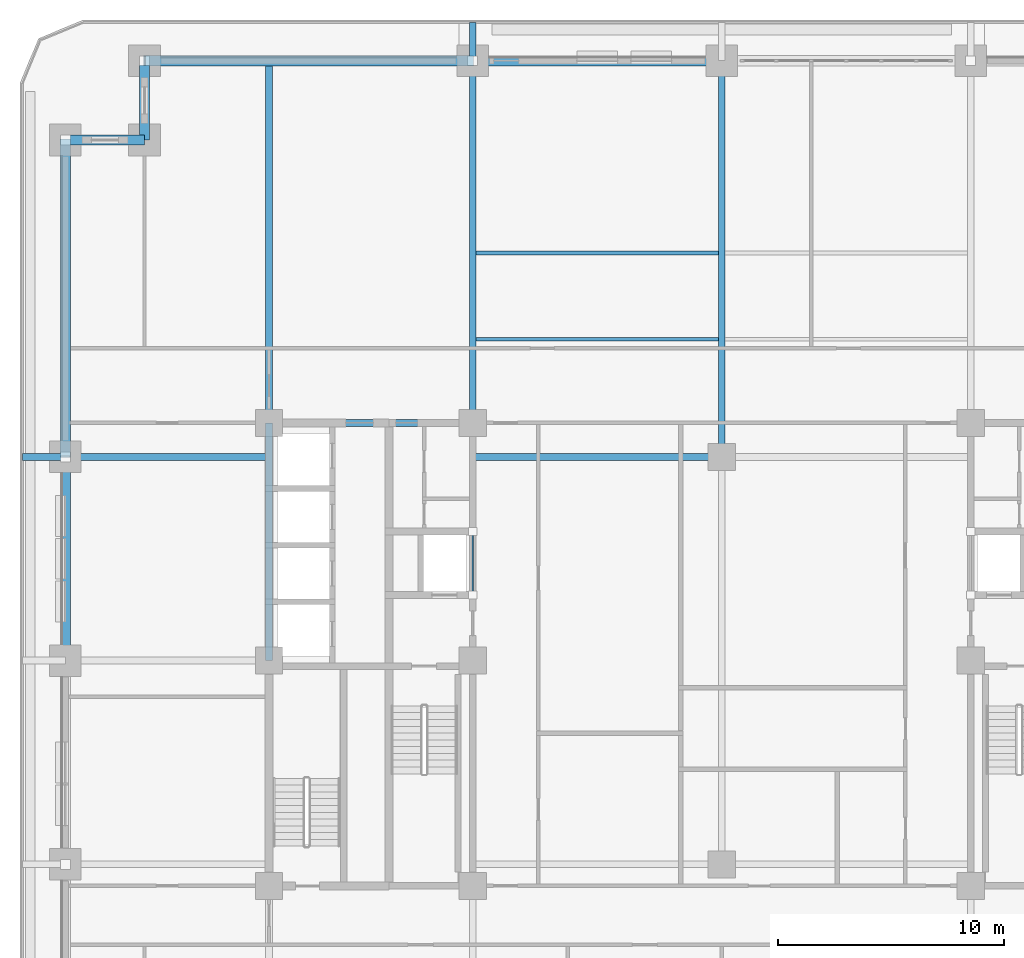
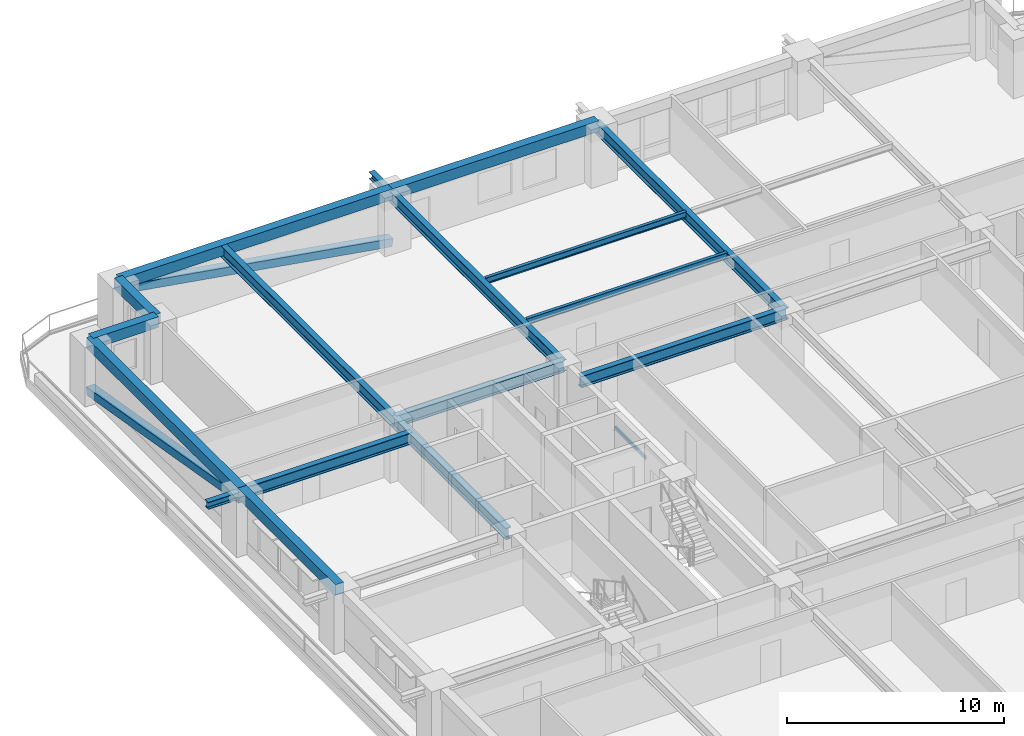
# One storey, part 5 of 20: 18 beams, 2 members.
"""IFC4 building model written with IfcOpenShell, lengths in metres."""

import ifcopenshell
import ifcopenshell.guid

model = None  # the IFC model being written
_history = None  # IfcOwnerHistory: only IFC2X3 demands one
_inside = {}  # id of a spatial element -> (the spatial element, [elements in it])
_under = {}  # id of a project, library or spatial element -> (it, [spatial elements below it])
_declared = {}  # id of a project -> (the project, [libraries it declares])
_typed = {}  # id of a type object -> (the type object, [elements of that type])
_made_of = {}  # id of a material, layer set ... -> (it, [elements and type objects made of it])


def new_model(schema):
    """Start an empty IFC model of exactly this schema.

    Asked for "IFC4X3", IfcOpenShell would pick the latest addendum, in which some entities
    have other attributes; the version numbers below select the first issue.
    IFC2X3 requires an IfcOwnerHistory on every rooted entity: one is made here for all.
    """
    global model, _history
    if schema == "IFC4X3":
        model = ifcopenshell.file(schema_version=(4, 3, 0, 0))
    else:
        model = ifcopenshell.file(schema=schema)
    _inside.clear()
    _under.clear()
    _declared.clear()
    _typed.clear()
    _made_of.clear()
    _history = None
    if model.schema == "IFC2X3":
        org = make("IfcOrganization", Name="unknown")
        user = make(
            "IfcPersonAndOrganization",
            ThePerson=make("IfcPerson", FamilyName="unknown"),
            TheOrganization=org,
        )
        app = make(
            "IfcApplication",
            ApplicationDeveloper=org,
            Version="unknown",
            ApplicationFullName="unknown",
            ApplicationIdentifier="unknown",
        )
        _history = make(
            "IfcOwnerHistory",
            OwningUser=user,
            OwningApplication=app,
            ChangeAction="ADDED",
            CreationDate=0,
        )
    return model


def make(cls, **values):
    """One entity of the class cls with the attributes given. An attribute that is None is left unset."""
    return model.create_entity(
        cls, **{name: value for name, value in values.items() if value is not None}
    )


def rooted(cls, **values):
    """An entity with a GlobalId (a new one), such as an element, a storey or a relation."""
    return make(cls, GlobalId=ifcopenshell.guid.new(), OwnerHistory=_history, **values)


def si_unit(unit_type, name, prefix=None):
    """IfcSIUnit, for example si_unit("LENGTHUNIT", "METRE", prefix="MILLI")."""
    return make("IfcSIUnit", UnitType=unit_type, Prefix=prefix, Name=name)


def assignment(units):
    """IfcUnitAssignment: the units of a project."""
    return None if units is None else make("IfcUnitAssignment", Units=units)


def point(xyz):
    """IfcCartesianPoint."""
    return None if xyz is None else make("IfcCartesianPoint", Coordinates=xyz)


def direction(xyz):
    """IfcDirection."""
    return None if xyz is None else make("IfcDirection", DirectionRatios=xyz)


def frame(location, z_axis=None, x_axis=None):
    """IfcAxis2Placement3D, a coordinate frame: its origin and axes. An axis left out is left unset."""
    return make(
        "IfcAxis2Placement3D",
        Location=point(location),
        Axis=direction(z_axis),
        RefDirection=direction(x_axis),
    )


def frame_2d(location, x_axis=None):
    """IfcAxis2Placement2D, a coordinate frame in the plane: its origin and x axis."""
    return make(
        "IfcAxis2Placement2D", Location=point(location), RefDirection=direction(x_axis)
    )


def origin():
    """The frame at (0, 0, 0) with its axes left unset."""
    return frame((0.0, 0.0, 0.0))


def origin_2d():
    """The frame at (0, 0) in the plane with its x axis left unset."""
    return frame_2d((0.0, 0.0))


def place(relative_to, where):
    """IfcLocalPlacement: puts the frame where relative to a parent placement (None: the world)."""
    return make(
        "IfcLocalPlacement", PlacementRelTo=relative_to, RelativePlacement=where
    )


def context(
    kind, dimensions, precision=None, world=None, true_north=None, identifier=None
):
    """IfcGeometricRepresentationContext, for example the 3D "Model" context."""
    return make(
        "IfcGeometricRepresentationContext",
        ContextIdentifier=identifier,
        ContextType=kind,
        CoordinateSpaceDimension=dimensions,
        Precision=precision,
        WorldCoordinateSystem=world,
        TrueNorth=true_north,
    )


def subcontext(parent, identifier, kind, view, scale=None):
    """IfcGeometricRepresentationSubContext, for example "Body" below "Model"."""
    return make(
        "IfcGeometricRepresentationSubContext",
        ContextIdentifier=identifier,
        ContextType=kind,
        ParentContext=parent,
        TargetScale=scale,
        TargetView=view,
    )


def project(units=None, contexts=None):
    """IfcProject with its units and contexts."""
    return rooted(
        "IfcProject",
        Name="project",
        RepresentationContexts=contexts,
        UnitsInContext=assignment(units),
    )


def spatial(cls, under=None, at=None, **own):
    """A site, building, storey or space (cls), placed at a placement, below another one or the project."""
    s = rooted(cls, ObjectPlacement=at, **own)
    if under is not None:
        _under.setdefault(under.id(), (under, []))[1].append(s)
    return s


def profile(cls, at=None, kind="AREA", **sizes):
    """A parametric profile (cls). Its sizes go by their IFC names, for example OverallWidth=200.0."""
    return make(cls, ProfileType=kind, Position=at, **sizes)


def rectangle(**sizes):
    """IfcRectangleProfileDef."""
    return profile("IfcRectangleProfileDef", **sizes)


def hollow_rectangle(**sizes):
    """IfcRectangleHollowProfileDef."""
    return profile("IfcRectangleHollowProfileDef", **sizes)


def i_section(**sizes):
    """IfcIShapeProfileDef."""
    return profile("IfcIShapeProfileDef", **sizes)


def extrude(swept, where, along, depth):
    """IfcExtrudedAreaSolid: the profile swept, set in the frame where, extruded along a direction by depth."""
    return make(
        "IfcExtrudedAreaSolid",
        SweptArea=swept,
        Position=where,
        ExtrudedDirection=direction(along),
        Depth=depth,
    )


def shape(context_of_items, identifier, shape_type, items):
    """IfcShapeRepresentation: the items that make up one representation, for example the "Body"."""
    return make(
        "IfcShapeRepresentation",
        ContextOfItems=context_of_items,
        RepresentationIdentifier=identifier,
        RepresentationType=shape_type,
        Items=items,
    )


def material(Name=None, Category=None):
    """IfcMaterial."""
    return make("IfcMaterial", Name=Name, Category=Category)


def material_profile(
    of_material, cross_section, Name=None, Category=None, Priority=None
):
    """IfcMaterialProfile: a cross section and its material."""
    return make(
        "IfcMaterialProfile",
        Name=Name,
        Material=of_material,
        Profile=cross_section,
        Priority=Priority,
        Category=Category,
    )


def profile_set(profiles, Name=None, composite=None):
    """IfcMaterialProfileSet."""
    return make(
        "IfcMaterialProfileSet",
        Name=Name,
        MaterialProfiles=profiles,
        CompositeProfile=composite,
    )


def made_of(thing, what):
    """Note that an element or type object is made of a material, layer set ...; save() writes the relation."""
    if what is not None:
        _made_of.setdefault(what.id(), (what, []))[1].append(thing)
    return thing


def type_object(cls, material=None, **own):
    """A type object (cls), such as IfcWallType, which elements share."""
    return made_of(rooted(cls, **own), material)


def element(
    cls,
    number,
    at=None,
    inside=None,
    cuts=None,
    type_object=None,
    material=None,
    context=None,
    identifier="Body",
    shape_type=None,
    held_by="IfcProductDefinitionShape",
    body=None,
    shapes=None,
    **own,
):
    """One element of the class cls, such as IfcWall. Its Tag is "e" and its number.

    at: its placement. inside: the storey or other place that contains it. cuts: it is an
    opening in that element (IfcRelVoidsElement). A single representation is given by context,
    identifier, shape_type and body (its items); several are given by shapes. held_by: the class
    of the entity that holds the representations. save() writes the other relations.
    """
    e = rooted(cls, Tag="e%d" % number, ObjectPlacement=at, **own)
    if body is not None:
        shapes = [shape(context, identifier, shape_type, body)]
    if shapes is not None:
        e.Representation = make(held_by, Representations=shapes)
    if inside is not None:
        _inside.setdefault(inside.id(), (inside, []))[1].append(e)
    if cuts is not None:
        rooted(
            "IfcRelVoidsElement", RelatingBuildingElement=cuts, RelatedOpeningElement=e
        )
    if type_object is not None:
        _typed.setdefault(type_object.id(), (type_object, []))[1].append(e)
    return made_of(e, material)


def aggregate(whole, parts):
    """IfcRelAggregates: a whole, such as a stair, and the parts it consists of."""
    return rooted("IfcRelAggregates", RelatingObject=whole, RelatedObjects=parts)


def save(model, path):
    """Write the relations noted so far, then the file.

    IfcRelAggregates (storeys below a building ...), IfcRelContainedInSpatialStructure (elements
    in a storey), IfcRelDefinesByType, IfcRelAssociatesMaterial and IfcRelDeclares: one each for
    every whole, place, type object, material and project.
    """
    for whole, parts in _under.values():
        aggregate(whole, parts)
    for where, things in _inside.values():
        rooted(
            "IfcRelContainedInSpatialStructure",
            RelatedElements=things,
            RelatingStructure=where,
        )
    for kind, things in _typed.values():
        rooted("IfcRelDefinesByType", RelatedObjects=things, RelatingType=kind)
    for what, things in _made_of.values():
        rooted("IfcRelAssociatesMaterial", RelatedObjects=things, RelatingMaterial=what)
    for by, libraries in _declared.values():
        rooted("IfcRelDeclares", RelatingContext=by, RelatedDefinitions=libraries)
    model.write(path)


model = new_model("IFC4")

# Units and contexts
model_context = context("Model", 3, precision=1e-05, world=origin(), true_north=direction((0.0, 1.0)))
body_context = subcontext(model_context, "Body", "Model", "MODEL_VIEW")
ifc_project = project(units=[si_unit("LENGTHUNIT", "METRE"), si_unit("AREAUNIT", "SQUARE_METRE"), si_unit("VOLUMEUNIT", "CUBIC_METRE"), si_unit("PLANEANGLEUNIT", "RADIAN"), si_unit("MASSUNIT", "GRAM", prefix="KILO")], contexts=[model_context])

# Site, building, storey
site_placement = place(None, origin())
site = spatial("IfcSite", under=ifc_project, at=site_placement, CompositionType="ELEMENT")
building_placement = place(site_placement, origin())
building = spatial("IfcBuilding", under=site, at=building_placement, Name="Zulmaris Gate Convention Tower", CompositionType="ELEMENT")
storey_placement = place(building_placement, frame((0.0, 0.0, 71.469970703125)))
storey = spatial("IfcBuildingStorey", under=building, at=storey_placement, Name="L17", CompositionType="ELEMENT", Elevation=71.469970703125)

# Beams
ifc_material_1 = material(Name="Steel S355", Category="steel")
ifc_material_profile_1 = material_profile(ifc_material_1, i_section(OverallWidth=0.300048828125, OverallDepth=0.39990234375, WebThickness=0.013427734375, FlangeThickness=0.02392578125, FilletRadius=0.027099609375, at=origin_2d()), Name="HEB 400")
ifc_profile_set_1 = profile_set([ifc_material_profile_1], Name="Steel S355")
beam_type_1 = type_object("IfcBeamType", Name="BM-HEB400", PredefinedType="BEAM", material=ifc_profile_set_1)
beam_1_placement = place(storey_placement, frame((-11.0, 26.5, 2.97998046875), z_axis=(0.0, 1.0, 0.0), x_axis=(-1.0, 0.0, 0.0)))
element("IfcBeam", 1, at=beam_1_placement, inside=storey, type_object=beam_type_1, Name="L17 Beam TBRK-L17-N--11", PredefinedType="BEAM", context=body_context, shape_type="SweptSolid", body=[
    extrude(i_section(OverallWidth=0.300048828125, OverallDepth=0.39990234375, WebThickness=0.013427734375, FlangeThickness=0.02392578125, FilletRadius=0.027099609375, at=origin_2d()), origin(), (0.0, 0.0, 1.0), 1.699951171875),
])
beam_2_placement = place(storey_placement, frame((-30.89990234375, 9.0, 2.97998046875), z_axis=(1.0, 0.0, 0.0), x_axis=(0.0, 1.0, 0.0)))
element("IfcBeam", 2, at=beam_2_placement, inside=storey, type_object=beam_type_1, Name="L17 Beam TBRK-L17-W-+9", PredefinedType="BEAM", context=body_context, shape_type="SweptSolid", body=[
    extrude(i_section(OverallWidth=0.300048828125, OverallDepth=0.39990234375, WebThickness=0.013427734375, FlangeThickness=0.02392578125, FilletRadius=0.027099609375, at=origin_2d()), origin(), (0.0, 0.0, 1.0), 1.89990234375),
])
ifc_material_profile_2 = material_profile(ifc_material_1, i_section(OverallWidth=0.300048828125, OverallDepth=0.64990234375, WebThickness=0.01611328125, FlangeThickness=0.031005859375, FilletRadius=0.027099609375, at=origin_2d()), Name="HEB 650")
ifc_profile_set_2 = profile_set([ifc_material_profile_2], Name="Steel S355")
beam_type_2 = type_object("IfcBeamType", Name="BM-HEB650", PredefinedType="BEAM", material=ifc_profile_set_2)
beam_3_placement = place(storey_placement, frame((-11.0, 9.0, 2.992919921875), z_axis=(1.0, 0.0, 0.0), x_axis=(0.0, 1.0, 0.0)))
element("IfcBeam", 3, at=beam_3_placement, inside=storey, type_object=beam_type_2, Name="L17 Beam BM-L17-G03", PredefinedType="BEAM", context=body_context, shape_type="SweptSolid", body=[
    extrude(i_section(OverallWidth=0.300048828125, OverallDepth=0.64990234375, WebThickness=0.01611328125, FlangeThickness=0.031005859375, FilletRadius=0.027099609375, at=origin_2d()), origin(), (0.0, 0.0, 1.0), 11.0),
])
beam_4_placement = place(storey_placement, frame((0.0, 9.0, 2.91796875), z_axis=(0.0, 1.0, 0.0), x_axis=(-1.0, 0.0, 0.0)))
element("IfcBeam", 4, at=beam_4_placement, inside=storey, type_object=beam_type_2, Name="L17 Beam BM-L17-G07", PredefinedType="BEAM", context=body_context, shape_type="SweptSolid", body=[
    extrude(i_section(OverallWidth=0.300048828125, OverallDepth=0.64990234375, WebThickness=0.01611328125, FlangeThickness=0.031005859375, FilletRadius=0.027099609375, at=origin_2d()), origin(), (0.0, 0.0, 1.0), 17.5),
])
for number, where, z_axis, x_axis, name in (
    (5, (-11.0, 10.5, 2.91796875), (0.0, 1.0, 0.0), (-1.0, 0.0, 0.0), "L17 Beam BM-L17-G09"),
    (6, (-20.0, 10.5, 2.992919921875), (0.0, 1.0, 0.0), (-1.0, 0.0, 0.0), "L17 Beam BM-L17-G13"),
):
    element("IfcBeam", number, at=place(storey_placement, frame(where, z_axis=z_axis, x_axis=x_axis)), inside=storey, type_object=beam_type_2, Name=name, PredefinedType="BEAM", context=body_context, shape_type="SweptSolid", body=[
        extrude(i_section(OverallWidth=0.300048828125, OverallDepth=0.64990234375, WebThickness=0.01611328125, FlangeThickness=0.031005859375, FilletRadius=0.027099609375, at=origin_2d()), origin(), (0.0, 0.0, 1.0), 16.0),
    ])
for number, where, z_axis, x_axis, name in (
    (7, (-29.0, 9.0, 2.992919921875), (1.0, 0.0, 0.0), (0.0, 1.0, 0.0), "L17 Beam BM-L17-G18"),
    (8, (-20.0, 10.5, 2.992919921875), (1.0, 0.0, 0.0), (0.0, 1.0, 0.0), "L17 Beam BM-L17-G23"),
):
    element("IfcBeam", number, at=place(storey_placement, frame(where, z_axis=z_axis, x_axis=x_axis)), inside=storey, type_object=beam_type_2, Name=name, PredefinedType="BEAM", context=body_context, shape_type="SweptSolid", body=[
        extrude(i_section(OverallWidth=0.300048828125, OverallDepth=0.64990234375, WebThickness=0.01611328125, FlangeThickness=0.031005859375, FilletRadius=0.027099609375, at=origin_2d()), origin(), (0.0, 0.0, 1.0), 9.0),
    ])
beam_5_placement = place(storey_placement, frame((-20.0, 0.0, 2.992919921875), z_axis=(0.0, 1.0, 0.0), x_axis=(-1.0, 0.0, 0.0)))
element("IfcBeam", 9, at=beam_5_placement, inside=storey, type_object=beam_type_2, Name="L17 Beam BM-L17-G27", PredefinedType="BEAM", context=body_context, shape_type="SweptSolid", body=[
    extrude(i_section(OverallWidth=0.300048828125, OverallDepth=0.64990234375, WebThickness=0.01611328125, FlangeThickness=0.031005859375, FilletRadius=0.027099609375, at=origin_2d()), origin(), (0.0, 0.0, 1.0), 10.5),
])
ifc_material_2 = material(Name="Precast concrete C50/60", Category="concrete")
ifc_material_profile_3 = material_profile(ifc_material_2, rectangle(XDim=0.449951171875, YDim=0.60009765625, at=origin_2d()), Name="RC SPANDREL 450x600")
ifc_profile_set_3 = profile_set([ifc_material_profile_3], Name="Precast concrete C50/60")
beam_type_3 = type_object("IfcBeamType", Name="BM-SP450x600", PredefinedType="SPANDREL", material=ifc_profile_set_3)
beam_6_placement = place(storey_placement, frame((0.0, 26.5, 3.02001953125), z_axis=(-1.0, 0.0, 0.0), x_axis=(0.0, -1.0, 0.0)))
element("IfcBeam", 10, at=beam_6_placement, inside=storey, type_object=beam_type_3, Name="L17 Spandrel SP-L17-15", PredefinedType="SPANDREL", context=body_context, shape_type="SweptSolid", body=[
    extrude(rectangle(XDim=0.449951171875, YDim=0.60009765625, at=origin_2d()), origin(), (0.0, 0.0, 1.0), 11.0),
])
beam_7_placement = place(storey_placement, frame((-11.0, 26.5, 3.02001953125), z_axis=(-1.0, 0.0, 0.0), x_axis=(0.0, -1.0, 0.0)))
element("IfcBeam", 11, at=beam_7_placement, inside=storey, type_object=beam_type_3, Name="L17 Spandrel SP-L17-16", PredefinedType="SPANDREL", context=body_context, shape_type="SweptSolid", body=[
    extrude(rectangle(XDim=0.449951171875, YDim=0.60009765625, at=origin_2d()), origin(), (0.0, 0.0, 1.0), 14.5),
])
for number, where, z_axis, x_axis, name in (
    (12, (-25.5, 26.5, 3.02001953125), (0.0, -1.0, 0.0), (1.0, 0.0, 0.0), "L17 Spandrel SP-L17-17"),
    (13, (-25.5, 23.0, 3.02001953125), (-1.0, 0.0, 0.0), (0.0, -1.0, 0.0), "L17 Spandrel SP-L17-18"),
):
    element("IfcBeam", number, at=place(storey_placement, frame(where, z_axis=z_axis, x_axis=x_axis)), inside=storey, type_object=beam_type_3, Name=name, PredefinedType="SPANDREL", context=body_context, shape_type="SweptSolid", body=[
        extrude(rectangle(XDim=0.449951171875, YDim=0.60009765625, at=origin_2d()), origin(), (0.0, 0.0, 1.0), 3.5),
    ])
beam_8_placement = place(storey_placement, frame((-29.0, 23.0, 3.02001953125), z_axis=(0.0, -1.0, 0.0), x_axis=(1.0, 0.0, 0.0)))
element("IfcBeam", 14, at=beam_8_placement, inside=storey, type_object=beam_type_3, Name="L17 Spandrel SP-L17-19", PredefinedType="SPANDREL", context=body_context, shape_type="SweptSolid", body=[
    extrude(rectangle(XDim=0.449951171875, YDim=0.60009765625, at=origin_2d()), origin(), (0.0, 0.0, 1.0), 14.0),
])
beam_9_placement = place(storey_placement, frame((-29.0, 9.0, 3.02001953125), z_axis=(0.0, -1.0, 0.0), x_axis=(1.0, 0.0, 0.0)))
element("IfcBeam", 15, at=beam_9_placement, inside=storey, type_object=beam_type_3, Name="L17 Spandrel SP-L17-20", PredefinedType="SPANDREL", context=body_context, shape_type="SweptSolid", body=[
    extrude(rectangle(XDim=0.449951171875, YDim=0.60009765625, at=origin_2d()), origin(), (0.0, 0.0, 1.0), 9.0),
])

# Members
ifc_material_3 = material(Name="Steel S460", Category="steel")
ifc_material_profile_4 = material_profile(ifc_material_3, hollow_rectangle(XDim=0.449951171875, YDim=0.449951171875, WallThickness=0.02490234375, at=origin_2d()), Name="SHS 450x450x25")
ifc_profile_set_4 = profile_set([ifc_material_profile_4], Name="Steel S460")
member_type = type_object("IfcMemberType", Name="BR-SHS450", PredefinedType="BRACE", material=ifc_profile_set_4)
member_1_placement = place(storey_placement, frame((-29.0, 23.0, 0.300048828125), z_axis=(0.0, -0.985623399742, 0.168957136221), x_axis=(1.0, 0.0, 0.0)))
element("IfcMember", 16, at=member_1_placement, inside=storey, type_object=member_type, Name="L17 Perimeter Tube Diagonal NW-W", PredefinedType="BRACE", context=body_context, shape_type="SweptSolid", body=[
    extrude(hollow_rectangle(XDim=0.449951171875, YDim=0.449951171875, WallThickness=0.02490234375, at=origin_2d()), origin(), (0.0, 0.0, 1.0), 14.2041015625),
])
member_2_placement = place(storey_placement, frame((-11.0, 26.5, 0.300048828125), z_axis=(-0.986578268552, 0.0, 0.163289068896), x_axis=(0.0, -1.0, 0.0)))
element("IfcMember", 17, at=member_2_placement, inside=storey, type_object=member_type, Name="L17 Perimeter Tube Diagonal NW-N", PredefinedType="BRACE", context=body_context, shape_type="SweptSolid", body=[
    extrude(hollow_rectangle(XDim=0.449951171875, YDim=0.449951171875, WallThickness=0.02490234375, at=origin_2d()), origin(), (0.0, 0.0, 1.0), 14.697265625),
])

# Beams
ifc_material_profile_5 = material_profile(ifc_material_1, i_section(OverallWidth=0.169921875, OverallDepth=0.360107421875, WebThickness=0.008056640625, FlangeThickness=0.0126953125, FilletRadius=0.01806640625, at=origin_2d()), Name="IPE 360")
ifc_profile_set_5 = profile_set([ifc_material_profile_5], Name="Steel S355")
beam_type_4 = type_object("IfcBeamType", Name="JT-IPE360", PredefinedType="JOIST", material=ifc_profile_set_5)
for number, where, z_axis, x_axis, name in (
    (18, (-10.85009765625, 14.199951171875, 3.137939453125), (1.0, 0.0, 0.0), (0.0, 1.0, 0.0), "L17 Joist JT-L17-CW-+14.2"),
    (19, (-10.85009765625, 18.0, 3.137939453125), (1.0, 0.0, 0.0), (0.0, 1.0, 0.0), "L17 Joist JT-L17-CW-+18.0"),
):
    element("IfcBeam", number, at=place(storey_placement, frame(where, z_axis=z_axis, x_axis=x_axis)), inside=storey, type_object=beam_type_4, Name=name, PredefinedType="JOIST", context=body_context, shape_type="SweptSolid", body=[
        extrude(i_section(OverallWidth=0.169921875, OverallDepth=0.360107421875, WebThickness=0.008056640625, FlangeThickness=0.0126953125, FilletRadius=0.01806640625, at=origin_2d()), origin(), (0.0, 0.0, 1.0), 10.7001953125),
    ])
ifc_material_profile_6 = material_profile(ifc_material_1, hollow_rectangle(XDim=0.080078125, YDim=0.179931640625, WallThickness=0.00634765625, at=origin_2d()), Name="RHS 180x80x6.3")
ifc_profile_set_6 = profile_set([ifc_material_profile_6], Name="Steel S355")
beam_type_5 = type_object("IfcBeamType", Name="LN-RHS180", PredefinedType="LINTEL", material=ifc_profile_set_6)
beam_10_placement = place(storey_placement, frame((-11.0, 2.89990234375, 2.35009765625), z_axis=(0.0, 1.0, 0.0), x_axis=(-1.0, 0.0, 0.0)))
element("IfcBeam", 20, at=beam_10_placement, inside=storey, type_object=beam_type_5, Name="L17 Core Opening Steel Lintel 1", PredefinedType="LINTEL", context=body_context, shape_type="SweptSolid", body=[
    extrude(hollow_rectangle(XDim=0.080078125, YDim=0.179931640625, WallThickness=0.00634765625, at=origin_2d()), origin(), (0.0, 0.0, 1.0), 2.800048828125),
])

save(model, "model.ifc")
